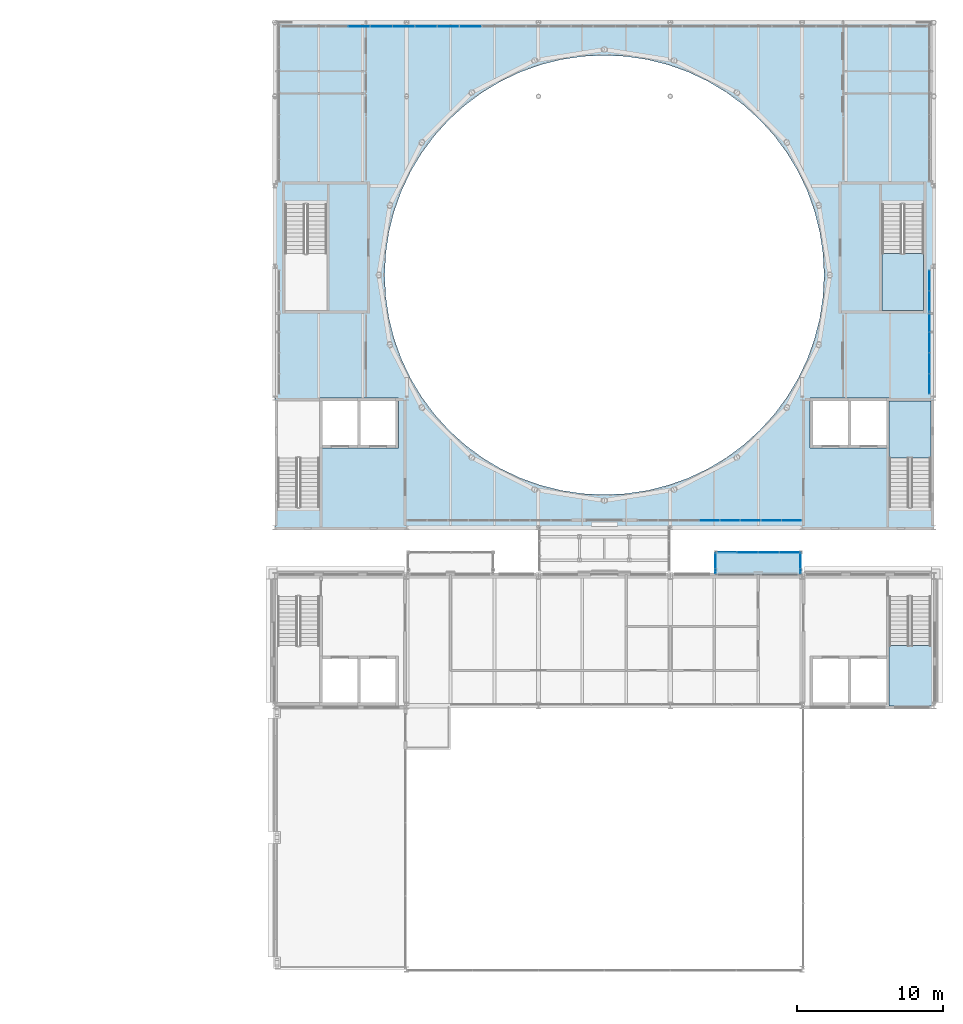
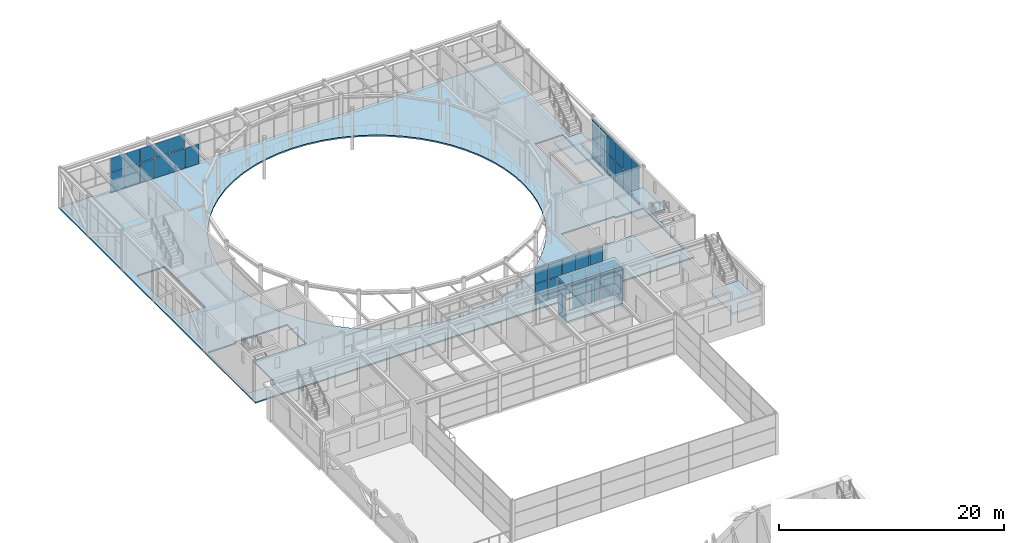
# One storey, part 47 of 70: 49 plates, 6 slabs, 9 elements without a shape of their own.
"""IFC4 building model written with IfcOpenShell, lengths in metres."""

from ifc_helpers import new_model, si_unit, direction, frame, origin, origin_2d, place, context, subcontext, project, spatial, polyline, rectangle, outline, extrude, material, layer, layer_set, type_object, element, aggregate, save


model = new_model("IFC4")

# Units and contexts
model_context = context("Model", 3, precision=1e-05, world=origin(), true_north=direction((0.0, 1.0)))
body_context = subcontext(model_context, "Body", "Model", "MODEL_VIEW")
ifc_project = project(units=[si_unit("LENGTHUNIT", "METRE"), si_unit("AREAUNIT", "SQUARE_METRE"), si_unit("VOLUMEUNIT", "CUBIC_METRE"), si_unit("PLANEANGLEUNIT", "RADIAN"), si_unit("MASSUNIT", "GRAM", prefix="KILO")], contexts=[model_context])

# Site, building, storey
site_placement = place(None, origin())
site = spatial("IfcSite", under=ifc_project, at=site_placement, CompositionType="ELEMENT")
building_placement = place(site_placement, origin())
building = spatial("IfcBuilding", under=site, at=building_placement, Name="Kallimachos Central Library", CompositionType="ELEMENT")
storey_placement = place(building_placement, frame((0.0, 0.0, 18.89990234375)))
storey = spatial("IfcBuildingStorey", under=building, at=storey_placement, Name="L04", CompositionType="ELEMENT", Elevation=18.89990234375)

# Slab
ifc_material_1 = material(Name="Composite slab C30/37 on steel deck", Category="concrete")
ifc_layer_1 = layer(ifc_material_1, 0.14990234375)
ifc_layer_set_1 = layer_set([ifc_layer_1], Name="Composite floor slab 150")
slab_type_1 = type_object("IfcSlabType", Name="Composite floor slab 150", PredefinedType="FLOOR", material=ifc_layer_set_1)
slab_1_placement = place(storey_placement, frame((0.0, 0.0, -0.14990234375)))
element("IfcSlab", 1, at=slab_1_placement, inside=storey, type_object=slab_type_1, Name="V1-SLB-L04-001", PredefinedType="FLOOR", context=body_context, shape_type="SweptSolid", body=[
    extrude(outline(polyline([(65.5, 121.800048828125), (110.5, 121.800048828125), (110.5, 87.0), (65.5, 87.0), (65.5, 121.800048828125)]), holes=[polyline([(65.699951171875, 95.800048828125), (65.699951171875, 88.553955078125), (68.550048828125, 88.553955078125), (68.550048828125, 92.60009765625), (73.949951171875, 92.60009765625), (73.949951171875, 96.0), (68.550048828125, 96.0), (68.550048828125, 95.800048828125), (65.699951171875, 95.800048828125)]), polyline([(107.449951171875, 95.800048828125), (107.449951171875, 96.0), (102.050048828125, 96.0), (102.050048828125, 92.60009765625), (107.449951171875, 92.60009765625), (107.449951171875, 88.553955078125), (110.300048828125, 88.553955078125), (110.300048828125, 95.800048828125), (107.449951171875, 95.800048828125)]), polyline([(102.7119140625, 101.4736328125), (102.927734375, 102.9296875), (103.0, 104.39990234375), (102.927734375, 105.870361328125), (102.7119140625, 107.326416015625), (102.35400390625, 108.75439453125), (101.858154296875, 110.140380859375), (101.228759765625, 111.470947265625), (100.471923828125, 112.733642578125), (99.59521484375, 113.916015625), (98.606689453125, 115.006591796875), (97.515869140625, 115.9951171875), (96.33349609375, 116.8720703125), (95.071044921875, 117.62890625), (93.740234375, 118.25830078125), (92.354248046875, 118.754150390625), (90.926513671875, 119.11181640625), (89.47021484375, 119.327880859375), (88.0, 119.39990234375), (86.52978515625, 119.327880859375), (85.073486328125, 119.11181640625), (83.645751953125, 118.754150390625), (82.259765625, 118.25830078125), (80.928955078125, 117.62890625), (79.66650390625, 116.8720703125), (78.484130859375, 115.9951171875), (77.393310546875, 115.006591796875), (76.40478515625, 113.916015625), (75.528076171875, 112.733642578125), (74.771240234375, 111.470947265625), (74.141845703125, 110.140380859375), (73.64599609375, 108.75439453125), (73.2880859375, 107.326416015625), (73.072265625, 105.870361328125), (73.0, 104.39990234375), (73.072265625, 102.9296875), (73.2880859375, 101.4736328125), (73.64599609375, 100.045654296875), (74.141845703125, 98.65966796875), (74.771240234375, 97.3291015625), (75.528076171875, 96.06640625), (76.40478515625, 94.884033203125), (77.393310546875, 93.79345703125), (78.484130859375, 92.8046875), (79.66650390625, 91.927978515625), (80.928955078125, 91.171142578125), (82.259765625, 90.541748046875), (83.645751953125, 90.0458984375), (85.073486328125, 89.688232421875), (86.52978515625, 89.47216796875), (88.0, 89.39990234375), (89.47021484375, 89.47216796875), (90.926513671875, 89.688232421875), (92.354248046875, 90.0458984375), (93.740234375, 90.541748046875), (95.071044921875, 91.171142578125), (96.33349609375, 91.927978515625), (97.515869140625, 92.8046875), (98.606689453125, 93.79345703125), (99.59521484375, 94.884033203125), (100.471923828125, 96.06640625), (101.228759765625, 97.3291015625), (101.858154296875, 98.65966796875), (102.35400390625, 100.045654296875), (102.7119140625, 101.4736328125)]), polyline([(66.199951171875, 101.97509765625), (69.050048828125, 101.97509765625), (69.050048828125, 109.220947265625), (66.199951171875, 109.220947265625), (66.199951171875, 101.97509765625)]), polyline([(106.949951171875, 101.97509765625), (109.800048828125, 101.97509765625), (109.800048828125, 109.220947265625), (106.949951171875, 109.220947265625), (106.949951171875, 101.97509765625)])]), origin(), (0.0, 0.0, 1.0), 0.14990234375),
])

# Curtain wall, plates
ifc_material_2 = material(Name="Anodised aluminium and laminated glass", Category="aluminium")
ifc_layer_2 = layer(ifc_material_2, 0.159912109375)
ifc_layer_set_2 = layer_set([ifc_layer_2], Name="Glass box curtain wall")
curtain_wall_type_1 = type_object("IfcCurtainWallType", Name="Glass box curtain wall", PredefinedType="NOTDEFINED", material=ifc_layer_set_2)
curtain_wall_1_placement = place(storey_placement, origin())
curtain_wall_1 = element("IfcCurtainWall", 2, at=curtain_wall_1_placement, inside=storey, type_object=curtain_wall_type_1, Name="Glass box curtain wall S L04", PredefinedType="NOTDEFINED")
ifc_material_3 = material(Name="Laminated glass", Category="glass")
ifc_layer_3 = layer(ifc_material_3, 0.028076171875)
ifc_layer_set_3 = layer_set([ifc_layer_3], Name="Laminated glass panel 28")
plate_type_1 = type_object("IfcPlateType", Name="Laminated glass panel 28", PredefinedType="CURTAIN_PANEL", material=ifc_layer_set_3)
plate_1_placement = place(storey_placement, frame((95.171875, 87.64990234375, 0.06005859375), z_axis=(0.0, 0.0, 1.0), x_axis=(1.0, 0.0, 0.0)))
plate_1 = element("IfcPlate", 3, at=plate_1_placement, type_object=plate_type_1, Name="CW29 panel 4.1", PredefinedType="CURTAIN_PANEL", context=body_context, shape_type="SweptSolid", body=[
    extrude(rectangle(XDim=1.34619140625, YDim=0.028076171875, at=origin_2d()), origin(), (0.0, 0.0, 1.0), 2.159912109375),
])
plate_2_placement = place(storey_placement, frame((95.171875, 87.64990234375, 2.280029296875), z_axis=(0.0, 0.0, 1.0), x_axis=(1.0, 0.0, 0.0)))
plate_2 = element("IfcPlate", 4, at=plate_2_placement, type_object=plate_type_1, Name="CW29 panel 4.2", PredefinedType="CURTAIN_PANEL", context=body_context, shape_type="SweptSolid", body=[
    extrude(rectangle(XDim=1.34619140625, YDim=0.028076171875, at=origin_2d()), origin(), (0.0, 0.0, 1.0), 1.7099609375),
])
plate_3_placement = place(storey_placement, frame((96.578125, 87.64990234375, 0.06005859375), z_axis=(0.0, 0.0, 1.0), x_axis=(1.0, 0.0, 0.0)))
plate_3 = element("IfcPlate", 5, at=plate_3_placement, type_object=plate_type_1, Name="CW29 panel 5.1", PredefinedType="CURTAIN_PANEL", context=body_context, shape_type="SweptSolid", body=[
    extrude(rectangle(XDim=1.34619140625, YDim=0.028076171875, at=origin_2d()), origin(), (0.0, 0.0, 1.0), 2.159912109375),
])
plate_4_placement = place(storey_placement, frame((96.578125, 87.64990234375, 2.280029296875), z_axis=(0.0, 0.0, 1.0), x_axis=(1.0, 0.0, 0.0)))
plate_4 = element("IfcPlate", 6, at=plate_4_placement, type_object=plate_type_1, Name="CW29 panel 5.2", PredefinedType="CURTAIN_PANEL", context=body_context, shape_type="SweptSolid", body=[
    extrude(rectangle(XDim=1.34619140625, YDim=0.028076171875, at=origin_2d()), origin(), (0.0, 0.0, 1.0), 1.7099609375),
])
plate_5_placement = place(storey_placement, frame((97.984375, 87.64990234375, 0.06005859375), z_axis=(0.0, 0.0, 1.0), x_axis=(1.0, 0.0, 0.0)))
plate_5 = element("IfcPlate", 7, at=plate_5_placement, type_object=plate_type_1, Name="CW29 panel 6.1", PredefinedType="CURTAIN_PANEL", context=body_context, shape_type="SweptSolid", body=[
    extrude(rectangle(XDim=1.34619140625, YDim=0.028076171875, at=origin_2d()), origin(), (0.0, 0.0, 1.0), 2.159912109375),
])
plate_6_placement = place(storey_placement, frame((97.984375, 87.64990234375, 2.280029296875), z_axis=(0.0, 0.0, 1.0), x_axis=(1.0, 0.0, 0.0)))
plate_6 = element("IfcPlate", 8, at=plate_6_placement, type_object=plate_type_1, Name="CW29 panel 6.2", PredefinedType="CURTAIN_PANEL", context=body_context, shape_type="SweptSolid", body=[
    extrude(rectangle(XDim=1.34619140625, YDim=0.028076171875, at=origin_2d()), origin(), (0.0, 0.0, 1.0), 1.7099609375),
])
plate_7_placement = place(storey_placement, frame((99.390625, 87.64990234375, 0.06005859375), z_axis=(0.0, 0.0, 1.0), x_axis=(1.0, 0.0, 0.0)))
plate_7 = element("IfcPlate", 9, at=plate_7_placement, type_object=plate_type_1, Name="CW29 panel 7.1", PredefinedType="CURTAIN_PANEL", context=body_context, shape_type="SweptSolid", body=[
    extrude(rectangle(XDim=1.34619140625, YDim=0.028076171875, at=origin_2d()), origin(), (0.0, 0.0, 1.0), 2.159912109375),
])
plate_8_placement = place(storey_placement, frame((99.390625, 87.64990234375, 2.280029296875), z_axis=(0.0, 0.0, 1.0), x_axis=(1.0, 0.0, 0.0)))
plate_8 = element("IfcPlate", 10, at=plate_8_placement, type_object=plate_type_1, Name="CW29 panel 7.2", PredefinedType="CURTAIN_PANEL", context=body_context, shape_type="SweptSolid", body=[
    extrude(rectangle(XDim=1.34619140625, YDim=0.028076171875, at=origin_2d()), origin(), (0.0, 0.0, 1.0), 1.7099609375),
])
plate_9_placement = place(storey_placement, frame((100.781982421875, 87.64990234375, 0.06005859375), z_axis=(0.0, 0.0, 1.0), x_axis=(1.0, 0.0, 0.0)))
plate_9 = element("IfcPlate", 11, at=plate_9_placement, type_object=plate_type_1, Name="CW29 panel 8.1", PredefinedType="CURTAIN_PANEL", context=body_context, shape_type="SweptSolid", body=[
    extrude(rectangle(XDim=1.316162109375, YDim=0.028076171875, at=origin_2d()), origin(), (0.0, 0.0, 1.0), 2.159912109375),
])
plate_10_placement = place(storey_placement, frame((100.781982421875, 87.64990234375, 2.280029296875), z_axis=(0.0, 0.0, 1.0), x_axis=(1.0, 0.0, 0.0)))
plate_10 = element("IfcPlate", 12, at=plate_10_placement, type_object=plate_type_1, Name="CW29 panel 8.2", PredefinedType="CURTAIN_PANEL", context=body_context, shape_type="SweptSolid", body=[
    extrude(rectangle(XDim=1.316162109375, YDim=0.028076171875, at=origin_2d()), origin(), (0.0, 0.0, 1.0), 1.7099609375),
])
aggregate(curtain_wall_1, [plate_1, plate_2, plate_3, plate_4, plate_5, plate_6, plate_7, plate_8, plate_9, plate_10])

curtain_wall_2_placement = place(storey_placement, origin())
curtain_wall_2 = element("IfcCurtainWall", 13, at=curtain_wall_2_placement, inside=storey, type_object=curtain_wall_type_1, Name="Glass box curtain wall E L04", PredefinedType="NOTDEFINED")
plate_11_placement = place(storey_placement, frame((110.199951171875, 96.973388671875, 0.06005859375), z_axis=(0.0, 0.0, 1.0), x_axis=(0.0, 1.0, 0.0)))
plate_11 = element("IfcPlate", 14, at=plate_11_placement, type_object=plate_type_1, Name="CW32 panel 1.1", PredefinedType="CURTAIN_PANEL", context=body_context, shape_type="SweptSolid", body=[
    extrude(rectangle(XDim=1.32666015625, YDim=0.028076171875, at=origin_2d()), origin(), (0.0, 0.0, 1.0), 2.159912109375),
])
plate_12_placement = place(storey_placement, frame((110.199951171875, 96.973388671875, 2.2802734375), z_axis=(0.0, 0.0, 1.0), x_axis=(0.0, 1.0, 0.0)))
plate_12 = element("IfcPlate", 15, at=plate_12_placement, type_object=plate_type_1, Name="CW32 panel 1.2", PredefinedType="CURTAIN_PANEL", context=body_context, shape_type="SweptSolid", body=[
    extrude(rectangle(XDim=1.32666015625, YDim=0.028076171875, at=origin_2d()), origin(), (0.0, 0.0, 1.0), 2.010009765625),
])
plate_13_placement = place(storey_placement, frame((110.199951171875, 98.375, 0.06005859375), z_axis=(0.0, 0.0, 1.0), x_axis=(0.0, 1.0, 0.0)))
plate_13 = element("IfcPlate", 16, at=plate_13_placement, type_object=plate_type_1, Name="CW32 panel 2.1", PredefinedType="CURTAIN_PANEL", context=body_context, shape_type="SweptSolid", body=[
    extrude(rectangle(XDim=1.356689453125, YDim=0.028076171875, at=origin_2d()), origin(), (0.0, 0.0, 1.0), 2.159912109375),
])
plate_14_placement = place(storey_placement, frame((110.199951171875, 98.375, 2.2802734375), z_axis=(0.0, 0.0, 1.0), x_axis=(0.0, 1.0, 0.0)))
plate_14 = element("IfcPlate", 17, at=plate_14_placement, type_object=plate_type_1, Name="CW32 panel 2.2", PredefinedType="CURTAIN_PANEL", context=body_context, shape_type="SweptSolid", body=[
    extrude(rectangle(XDim=1.356689453125, YDim=0.028076171875, at=origin_2d()), origin(), (0.0, 0.0, 1.0), 2.010009765625),
])
plate_15_placement = place(storey_placement, frame((110.199951171875, 99.791748046875, 0.06005859375), z_axis=(0.0, 0.0, 1.0), x_axis=(0.0, 1.0, 0.0)))
plate_15 = element("IfcPlate", 18, at=plate_15_placement, type_object=plate_type_1, Name="CW32 panel 3.1", PredefinedType="CURTAIN_PANEL", context=body_context, shape_type="SweptSolid", body=[
    extrude(rectangle(XDim=1.356689453125, YDim=0.028076171875, at=origin_2d()), origin(), (0.0, 0.0, 1.0), 2.159912109375),
])
plate_16_placement = place(storey_placement, frame((110.199951171875, 99.791748046875, 2.2802734375), z_axis=(0.0, 0.0, 1.0), x_axis=(0.0, 1.0, 0.0)))
plate_16 = element("IfcPlate", 19, at=plate_16_placement, type_object=plate_type_1, Name="CW32 panel 3.2", PredefinedType="CURTAIN_PANEL", context=body_context, shape_type="SweptSolid", body=[
    extrude(rectangle(XDim=1.356689453125, YDim=0.028076171875, at=origin_2d()), origin(), (0.0, 0.0, 1.0), 2.010009765625),
])
plate_17_placement = place(storey_placement, frame((110.199951171875, 101.208251953125, 0.06005859375), z_axis=(0.0, 0.0, 1.0), x_axis=(0.0, 1.0, 0.0)))
plate_17 = element("IfcPlate", 20, at=plate_17_placement, type_object=plate_type_1, Name="CW32 panel 4.1", PredefinedType="CURTAIN_PANEL", context=body_context, shape_type="SweptSolid", body=[
    extrude(rectangle(XDim=1.356689453125, YDim=0.028076171875, at=origin_2d()), origin(), (0.0, 0.0, 1.0), 2.159912109375),
])
plate_18_placement = place(storey_placement, frame((110.199951171875, 101.208251953125, 2.2802734375), z_axis=(0.0, 0.0, 1.0), x_axis=(0.0, 1.0, 0.0)))
plate_18 = element("IfcPlate", 21, at=plate_18_placement, type_object=plate_type_1, Name="CW32 panel 4.2", PredefinedType="CURTAIN_PANEL", context=body_context, shape_type="SweptSolid", body=[
    extrude(rectangle(XDim=1.356689453125, YDim=0.028076171875, at=origin_2d()), origin(), (0.0, 0.0, 1.0), 2.010009765625),
])
plate_19_placement = place(storey_placement, frame((110.199951171875, 102.625, 0.06005859375), z_axis=(0.0, 0.0, 1.0), x_axis=(0.0, 1.0, 0.0)))
plate_19 = element("IfcPlate", 22, at=plate_19_placement, type_object=plate_type_1, Name="CW32 panel 5.1", PredefinedType="CURTAIN_PANEL", context=body_context, shape_type="SweptSolid", body=[
    extrude(rectangle(XDim=1.356689453125, YDim=0.028076171875, at=origin_2d()), origin(), (0.0, 0.0, 1.0), 2.159912109375),
])
plate_20_placement = place(storey_placement, frame((110.199951171875, 102.625, 2.2802734375), z_axis=(0.0, 0.0, 1.0), x_axis=(0.0, 1.0, 0.0)))
plate_20 = element("IfcPlate", 23, at=plate_20_placement, type_object=plate_type_1, Name="CW32 panel 5.2", PredefinedType="CURTAIN_PANEL", context=body_context, shape_type="SweptSolid", body=[
    extrude(rectangle(XDim=1.356689453125, YDim=0.028076171875, at=origin_2d()), origin(), (0.0, 0.0, 1.0), 2.010009765625),
])
plate_21_placement = place(storey_placement, frame((110.199951171875, 104.026611328125, 0.06005859375), z_axis=(0.0, 0.0, 1.0), x_axis=(0.0, 1.0, 0.0)))
plate_21 = element("IfcPlate", 24, at=plate_21_placement, type_object=plate_type_1, Name="CW32 panel 6.1", PredefinedType="CURTAIN_PANEL", context=body_context, shape_type="SweptSolid", body=[
    extrude(rectangle(XDim=1.32666015625, YDim=0.028076171875, at=origin_2d()), origin(), (0.0, 0.0, 1.0), 2.159912109375),
])
plate_22_placement = place(storey_placement, frame((110.199951171875, 104.026611328125, 2.2802734375), z_axis=(0.0, 0.0, 1.0), x_axis=(0.0, 1.0, 0.0)))
plate_22 = element("IfcPlate", 25, at=plate_22_placement, type_object=plate_type_1, Name="CW32 panel 6.2", PredefinedType="CURTAIN_PANEL", context=body_context, shape_type="SweptSolid", body=[
    extrude(rectangle(XDim=1.32666015625, YDim=0.028076171875, at=origin_2d()), origin(), (0.0, 0.0, 1.0), 2.010009765625),
])
aggregate(curtain_wall_2, [plate_11, plate_12, plate_13, plate_14, plate_15, plate_16, plate_17, plate_18, plate_19, plate_20, plate_21, plate_22])

curtain_wall_3_placement = place(storey_placement, origin())
curtain_wall_3 = element("IfcCurtainWall", 26, at=curtain_wall_3_placement, inside=storey, type_object=curtain_wall_type_1, Name="Glass box curtain wall N L04", PredefinedType="NOTDEFINED")
plate_23_placement = place(storey_placement, frame((71.249755859375, 121.3798828125, 0.06005859375), z_axis=(0.0, 0.0, 1.0), x_axis=(1.0, 0.0, 0.0)))
plate_23 = element("IfcPlate", 27, at=plate_23_placement, type_object=plate_type_1, Name="CW34 panel 4.1", PredefinedType="CURTAIN_PANEL", context=body_context, shape_type="SweptSolid", body=[
    extrude(rectangle(XDim=1.462646484375, YDim=0.028076171875, at=origin_2d()), origin(), (0.0, 0.0, 1.0), 2.159912109375),
])
plate_24_placement = place(storey_placement, frame((71.249755859375, 121.3798828125, 2.2802734375), z_axis=(0.0, 0.0, 1.0), x_axis=(1.0, 0.0, 0.0)))
plate_24 = element("IfcPlate", 28, at=plate_24_placement, type_object=plate_type_1, Name="CW34 panel 4.2", PredefinedType="CURTAIN_PANEL", context=body_context, shape_type="SweptSolid", body=[
    extrude(rectangle(XDim=1.462646484375, YDim=0.028076171875, at=origin_2d()), origin(), (0.0, 0.0, 1.0), 1.510009765625),
])
plate_25_placement = place(storey_placement, frame((72.7724609375, 121.3798828125, 0.06005859375), z_axis=(0.0, 0.0, 1.0), x_axis=(1.0, 0.0, 0.0)))
plate_25 = element("IfcPlate", 29, at=plate_25_placement, type_object=plate_type_1, Name="CW34 panel 5.1", PredefinedType="CURTAIN_PANEL", context=body_context, shape_type="SweptSolid", body=[
    extrude(rectangle(XDim=1.462646484375, YDim=0.028076171875, at=origin_2d()), origin(), (0.0, 0.0, 1.0), 2.159912109375),
])
plate_26_placement = place(storey_placement, frame((72.7724609375, 121.3798828125, 2.2802734375), z_axis=(0.0, 0.0, 1.0), x_axis=(1.0, 0.0, 0.0)))
plate_26 = element("IfcPlate", 30, at=plate_26_placement, type_object=plate_type_1, Name="CW34 panel 5.2", PredefinedType="CURTAIN_PANEL", context=body_context, shape_type="SweptSolid", body=[
    extrude(rectangle(XDim=1.462646484375, YDim=0.028076171875, at=origin_2d()), origin(), (0.0, 0.0, 1.0), 1.510009765625),
])
plate_27_placement = place(storey_placement, frame((74.295166015625, 121.3798828125, 0.06005859375), z_axis=(0.0, 0.0, 1.0), x_axis=(1.0, 0.0, 0.0)))
plate_27 = element("IfcPlate", 31, at=plate_27_placement, type_object=plate_type_1, Name="CW34 panel 6.1", PredefinedType="CURTAIN_PANEL", context=body_context, shape_type="SweptSolid", body=[
    extrude(rectangle(XDim=1.462646484375, YDim=0.028076171875, at=origin_2d()), origin(), (0.0, 0.0, 1.0), 2.159912109375),
])
plate_28_placement = place(storey_placement, frame((74.295166015625, 121.3798828125, 2.2802734375), z_axis=(0.0, 0.0, 1.0), x_axis=(1.0, 0.0, 0.0)))
plate_28 = element("IfcPlate", 32, at=plate_28_placement, type_object=plate_type_1, Name="CW34 panel 6.2", PredefinedType="CURTAIN_PANEL", context=body_context, shape_type="SweptSolid", body=[
    extrude(rectangle(XDim=1.462646484375, YDim=0.028076171875, at=origin_2d()), origin(), (0.0, 0.0, 1.0), 1.510009765625),
])
plate_29_placement = place(storey_placement, frame((75.81787109375, 121.3798828125, 0.06005859375), z_axis=(0.0, 0.0, 1.0), x_axis=(1.0, 0.0, 0.0)))
plate_29 = element("IfcPlate", 33, at=plate_29_placement, type_object=plate_type_1, Name="CW34 panel 7.1", PredefinedType="CURTAIN_PANEL", context=body_context, shape_type="SweptSolid", body=[
    extrude(rectangle(XDim=1.462646484375, YDim=0.028076171875, at=origin_2d()), origin(), (0.0, 0.0, 1.0), 2.159912109375),
])
plate_30_placement = place(storey_placement, frame((75.81787109375, 121.3798828125, 2.2802734375), z_axis=(0.0, 0.0, 1.0), x_axis=(1.0, 0.0, 0.0)))
plate_30 = element("IfcPlate", 34, at=plate_30_placement, type_object=plate_type_1, Name="CW34 panel 7.2", PredefinedType="CURTAIN_PANEL", context=body_context, shape_type="SweptSolid", body=[
    extrude(rectangle(XDim=1.462646484375, YDim=0.028076171875, at=origin_2d()), origin(), (0.0, 0.0, 1.0), 1.510009765625),
])
plate_31_placement = place(storey_placement, frame((77.340576171875, 121.3798828125, 0.06005859375), z_axis=(0.0, 0.0, 1.0), x_axis=(1.0, 0.0, 0.0)))
plate_31 = element("IfcPlate", 35, at=plate_31_placement, type_object=plate_type_1, Name="CW34 panel 8.1", PredefinedType="CURTAIN_PANEL", context=body_context, shape_type="SweptSolid", body=[
    extrude(rectangle(XDim=1.462646484375, YDim=0.028076171875, at=origin_2d()), origin(), (0.0, 0.0, 1.0), 2.159912109375),
])
plate_32_placement = place(storey_placement, frame((77.340576171875, 121.3798828125, 2.2802734375), z_axis=(0.0, 0.0, 1.0), x_axis=(1.0, 0.0, 0.0)))
plate_32 = element("IfcPlate", 36, at=plate_32_placement, type_object=plate_type_1, Name="CW34 panel 8.2", PredefinedType="CURTAIN_PANEL", context=body_context, shape_type="SweptSolid", body=[
    extrude(rectangle(XDim=1.462646484375, YDim=0.028076171875, at=origin_2d()), origin(), (0.0, 0.0, 1.0), 1.510009765625),
])
plate_33_placement = place(storey_placement, frame((78.863525390625, 121.3798828125, 0.06005859375), z_axis=(0.0, 0.0, 1.0), x_axis=(1.0, 0.0, 0.0)))
plate_33 = element("IfcPlate", 37, at=plate_33_placement, type_object=plate_type_1, Name="CW34 panel 9.1", PredefinedType="CURTAIN_PANEL", context=body_context, shape_type="SweptSolid", body=[
    extrude(rectangle(XDim=1.462646484375, YDim=0.028076171875, at=origin_2d()), origin(), (0.0, 0.0, 1.0), 2.159912109375),
])
aggregate(curtain_wall_3, [plate_23, plate_24, plate_25, plate_26, plate_27, plate_28, plate_29, plate_30, plate_31, plate_32, plate_33])

# Stair, slab
ifc_material_4 = material(Name="Concrete C30/37", Category="concrete")
stair_type_1 = type_object("IfcStairType", Name="Escape stair", PredefinedType="HALF_TURN_STAIR", material=ifc_material_4)
stair_1_placement = place(storey_placement, origin())
stair_1 = element("IfcStair", 38, at=stair_1_placement, inside=storey, type_object=stair_type_1, Name="L04 stair ST10", PredefinedType="HALF_TURN_STAIR")
ifc_material_5 = material(Name="Concrete C30/37", Category="concrete")
ifc_layer_4 = layer(ifc_material_5, 0.199951171875)
ifc_layer_set_4 = layer_set([ifc_layer_4], Name="Stair landing")
slab_type_2 = type_object("IfcSlabType", Name="Stair landing", PredefinedType="LANDING", material=ifc_layer_set_4)
slab_2_placement = place(storey_placement, frame((0.0, 0.0, 2.050048828125)))
slab_2 = element("IfcSlab", 39, at=slab_2_placement, type_object=slab_type_2, Name="ST10 landing 1", PredefinedType="LANDING", context=body_context, shape_type="SweptSolid", body=[
    extrude(outline(polyline([(107.449951171875, 74.98388671875), (110.45361328125, 74.98388671875), (110.45361328125, 79.090087890625), (107.449951171875, 79.090087890625), (107.449951171875, 74.98388671875)])), origin(), (0.0, 0.0, 1.0), 0.199951171875),
])
aggregate(stair_1, [slab_2])

ifc_material_6 = material(Name="Steel S355J2", Category="steel")
stair_type_2 = type_object("IfcStairType", Name="Steel half-turn stair 1350", PredefinedType="HALF_TURN_STAIR", material=ifc_material_6)
stair_2_placement = place(storey_placement, origin())
stair_2 = element("IfcStair", 40, at=stair_2_placement, inside=storey, type_object=stair_type_2, Name="L04 stair ST2", PredefinedType="HALF_TURN_STAIR")
ifc_material_7 = material(Name="Concrete C30/37", Category="concrete")
ifc_layer_5 = layer(ifc_material_7, 0.199951171875)
ifc_layer_set_5 = layer_set([ifc_layer_5], Name="Stair landing slab 200")
slab_type_3 = type_object("IfcSlabType", Name="Stair landing slab 200", PredefinedType="LANDING", material=ifc_layer_set_5)
slab_3_placement = place(storey_placement, frame((0.0, 0.0, 2.050048828125)))
slab_3 = element("IfcSlab", 41, at=slab_3_placement, type_object=slab_type_3, Name="ST2 landing 1", PredefinedType="LANDING", context=body_context, shape_type="SweptSolid", body=[
    extrude(outline(polyline([(110.300048828125, 91.909912109375), (110.300048828125, 95.800048828125), (107.449951171875, 95.800048828125), (107.449951171875, 91.909912109375), (110.300048828125, 91.909912109375)])), origin(), (0.0, 0.0, 1.0), 0.199951171875),
])
aggregate(stair_2, [slab_3])

stair_3_placement = place(storey_placement, origin())
stair_3 = element("IfcStair", 42, at=stair_3_placement, inside=storey, type_object=stair_type_2, Name="L04 stair ST4", PredefinedType="HALF_TURN_STAIR")
slab_4_placement = place(storey_placement, frame((0.0, 0.0, 2.050048828125)))
slab_4 = element("IfcSlab", 43, at=slab_4_placement, type_object=slab_type_3, Name="ST4 landing 1", PredefinedType="LANDING", context=body_context, shape_type="SweptSolid", body=[
    extrude(outline(polyline([(106.949951171875, 105.864990234375), (106.949951171875, 101.97509765625), (109.800048828125, 101.97509765625), (109.800048828125, 105.864990234375), (106.949951171875, 105.864990234375)])), origin(), (0.0, 0.0, 1.0), 0.199951171875),
])
aggregate(stair_3, [slab_4])

# Slab
ifc_material_8 = material(Name="Composite slab C30/37 on steel deck", Category="concrete")
ifc_layer_6 = layer(ifc_material_8, 0.199951171875)
ifc_layer_set_6 = layer_set([ifc_layer_6], Name="Tribune bay floor slab 200")
slab_type_4 = type_object("IfcSlabType", Name="Tribune bay floor slab 200", PredefinedType="FLOOR", material=ifc_layer_set_6)
slab_5_placement = place(storey_placement, frame((0.0, 0.0, -0.199951171875)))
element("IfcSlab", 44, at=slab_5_placement, inside=storey, type_object=slab_type_4, Name="Tribune bay N2 floor L04", PredefinedType="FLOOR", context=body_context, shape_type="SweptSolid", body=[
    extrude(outline(polyline([(95.60009765625, 83.966064453125), (101.39990234375, 83.966064453125), (101.39990234375, 85.466064453125), (95.60009765625, 85.466064453125), (95.60009765625, 83.966064453125)])), origin(), (0.0, 0.0, 1.0), 0.199951171875),
])

# Curtain wall, plates
ifc_material_9 = material(Name="Aluminium and laminated glass", Category="aluminium")
curtain_wall_type_2 = type_object("IfcCurtainWallType", Name="Tribune bay glazed screen", PredefinedType="NOTDEFINED", material=ifc_material_9)
curtain_wall_4_placement = place(storey_placement, origin())
curtain_wall_4 = element("IfcCurtainWall", 45, at=curtain_wall_4_placement, inside=storey, type_object=curtain_wall_type_2, Name="Tribune bay N2 L04 front", PredefinedType="NOTDEFINED")
ifc_material_10 = material(Name="Laminated glass", Category="glass")
ifc_layer_7 = layer(ifc_material_10, 0.028076171875)
ifc_layer_set_7 = layer_set([ifc_layer_7], Name="Tribune bay glass panel")
plate_type_2 = type_object("IfcPlateType", Name="Tribune bay glass panel", PredefinedType="CURTAIN_PANEL", material=ifc_layer_set_7)
plate_34_placement = place(storey_placement, frame((96.340087890625, 85.466064453125, 2.5966796875), z_axis=(0.0, 0.0, 1.0), x_axis=(1.0, 0.0, 0.0)))
plate_34 = element("IfcPlate", 46, at=plate_34_placement, type_object=plate_type_2, Name="CW panel 1.3", PredefinedType="CURTAIN_PANEL", context=body_context, shape_type="SweptSolid", body=[
    extrude(rectangle(XDim=1.360107421875, YDim=0.028076171875, at=origin_2d()), origin(), (0.0, 0.0, 1.0), 1.193359375),
])
plate_35_placement = place(storey_placement, frame((97.77490234375, 85.466064453125, 0.06005859375), z_axis=(0.0, 0.0, 1.0), x_axis=(1.0, 0.0, 0.0)))
plate_35 = element("IfcPlate", 47, at=plate_35_placement, type_object=plate_type_2, Name="CW panel 2.1", PredefinedType="CURTAIN_PANEL", context=body_context, shape_type="SweptSolid", body=[
    extrude(rectangle(XDim=1.389892578125, YDim=0.028076171875, at=origin_2d()), origin(), (0.0, 0.0, 1.0), 1.193359375),
])
plate_36_placement = place(storey_placement, frame((97.77490234375, 85.466064453125, 1.3134765625), z_axis=(0.0, 0.0, 1.0), x_axis=(1.0, 0.0, 0.0)))
plate_36 = element("IfcPlate", 48, at=plate_36_placement, type_object=plate_type_2, Name="CW panel 2.2", PredefinedType="CURTAIN_PANEL", context=body_context, shape_type="SweptSolid", body=[
    extrude(rectangle(XDim=1.389892578125, YDim=0.028076171875, at=origin_2d()), origin(), (0.0, 0.0, 1.0), 1.223388671875),
])
plate_37_placement = place(storey_placement, frame((97.77490234375, 85.466064453125, 2.5966796875), z_axis=(0.0, 0.0, 1.0), x_axis=(1.0, 0.0, 0.0)))
plate_37 = element("IfcPlate", 49, at=plate_37_placement, type_object=plate_type_2, Name="CW panel 2.3", PredefinedType="CURTAIN_PANEL", context=body_context, shape_type="SweptSolid", body=[
    extrude(rectangle(XDim=1.389892578125, YDim=0.028076171875, at=origin_2d()), origin(), (0.0, 0.0, 1.0), 1.193359375),
])
plate_38_placement = place(storey_placement, frame((99.22509765625, 85.466064453125, 0.06005859375), z_axis=(0.0, 0.0, 1.0), x_axis=(1.0, 0.0, 0.0)))
plate_38 = element("IfcPlate", 50, at=plate_38_placement, type_object=plate_type_2, Name="CW panel 3.1", PredefinedType="CURTAIN_PANEL", context=body_context, shape_type="SweptSolid", body=[
    extrude(rectangle(XDim=1.389892578125, YDim=0.028076171875, at=origin_2d()), origin(), (0.0, 0.0, 1.0), 1.193359375),
])
plate_39_placement = place(storey_placement, frame((99.22509765625, 85.466064453125, 1.3134765625), z_axis=(0.0, 0.0, 1.0), x_axis=(1.0, 0.0, 0.0)))
plate_39 = element("IfcPlate", 51, at=plate_39_placement, type_object=plate_type_2, Name="CW panel 3.2", PredefinedType="CURTAIN_PANEL", context=body_context, shape_type="SweptSolid", body=[
    extrude(rectangle(XDim=1.389892578125, YDim=0.028076171875, at=origin_2d()), origin(), (0.0, 0.0, 1.0), 1.223388671875),
])
plate_40_placement = place(storey_placement, frame((99.22509765625, 85.466064453125, 2.5966796875), z_axis=(0.0, 0.0, 1.0), x_axis=(1.0, 0.0, 0.0)))
plate_40 = element("IfcPlate", 52, at=plate_40_placement, type_object=plate_type_2, Name="CW panel 3.3", PredefinedType="CURTAIN_PANEL", context=body_context, shape_type="SweptSolid", body=[
    extrude(rectangle(XDim=1.389892578125, YDim=0.028076171875, at=origin_2d()), origin(), (0.0, 0.0, 1.0), 1.193359375),
])
plate_41_placement = place(storey_placement, frame((100.659912109375, 85.466064453125, 0.06005859375), z_axis=(0.0, 0.0, 1.0), x_axis=(1.0, 0.0, 0.0)))
plate_41 = element("IfcPlate", 53, at=plate_41_placement, type_object=plate_type_2, Name="CW panel 4.1", PredefinedType="CURTAIN_PANEL", context=body_context, shape_type="SweptSolid", body=[
    extrude(rectangle(XDim=1.360107421875, YDim=0.028076171875, at=origin_2d()), origin(), (0.0, 0.0, 1.0), 1.193359375),
])
plate_42_placement = place(storey_placement, frame((100.659912109375, 85.466064453125, 1.3134765625), z_axis=(0.0, 0.0, 1.0), x_axis=(1.0, 0.0, 0.0)))
plate_42 = element("IfcPlate", 54, at=plate_42_placement, type_object=plate_type_2, Name="CW panel 4.2", PredefinedType="CURTAIN_PANEL", context=body_context, shape_type="SweptSolid", body=[
    extrude(rectangle(XDim=1.360107421875, YDim=0.028076171875, at=origin_2d()), origin(), (0.0, 0.0, 1.0), 1.223388671875),
])
plate_43_placement = place(storey_placement, frame((100.659912109375, 85.466064453125, 2.5966796875), z_axis=(0.0, 0.0, 1.0), x_axis=(1.0, 0.0, 0.0)))
plate_43 = element("IfcPlate", 55, at=plate_43_placement, type_object=plate_type_2, Name="CW panel 4.3", PredefinedType="CURTAIN_PANEL", context=body_context, shape_type="SweptSolid", body=[
    extrude(rectangle(XDim=1.360107421875, YDim=0.028076171875, at=origin_2d()), origin(), (0.0, 0.0, 1.0), 1.193359375),
])
aggregate(curtain_wall_4, [plate_34, plate_35, plate_36, plate_37, plate_38, plate_39, plate_40, plate_41, plate_42, plate_43])

curtain_wall_5_placement = place(storey_placement, origin())
curtain_wall_5 = element("IfcCurtainWall", 56, at=curtain_wall_5_placement, inside=storey, type_object=curtain_wall_type_2, Name="Tribune bay N2 L04 return 1", PredefinedType="NOTDEFINED")
plate_44_placement = place(storey_placement, frame((95.60009765625, 84.716064453125, 0.06005859375), z_axis=(0.0, 0.0, 1.0), x_axis=(0.0, 1.0, 0.0)))
plate_44 = element("IfcPlate", 57, at=plate_44_placement, type_object=plate_type_2, Name="CW panel 1.1", PredefinedType="CURTAIN_PANEL", context=body_context, shape_type="SweptSolid", body=[
    extrude(rectangle(XDim=1.3798828125, YDim=0.028076171875, at=origin_2d()), origin(), (0.0, 0.0, 1.0), 1.193359375),
])
plate_45_placement = place(storey_placement, frame((95.60009765625, 84.716064453125, 1.3134765625), z_axis=(0.0, 0.0, 1.0), x_axis=(0.0, 1.0, 0.0)))
plate_45 = element("IfcPlate", 58, at=plate_45_placement, type_object=plate_type_2, Name="CW panel 1.2", PredefinedType="CURTAIN_PANEL", context=body_context, shape_type="SweptSolid", body=[
    extrude(rectangle(XDim=1.3798828125, YDim=0.028076171875, at=origin_2d()), origin(), (0.0, 0.0, 1.0), 1.223388671875),
])
plate_46_placement = place(storey_placement, frame((95.60009765625, 84.716064453125, 2.5966796875), z_axis=(0.0, 0.0, 1.0), x_axis=(0.0, 1.0, 0.0)))
plate_46 = element("IfcPlate", 59, at=plate_46_placement, type_object=plate_type_2, Name="CW panel 1.3", PredefinedType="CURTAIN_PANEL", context=body_context, shape_type="SweptSolid", body=[
    extrude(rectangle(XDim=1.3798828125, YDim=0.028076171875, at=origin_2d()), origin(), (0.0, 0.0, 1.0), 1.193359375),
])
aggregate(curtain_wall_5, [plate_44, plate_45, plate_46])

curtain_wall_6_placement = place(storey_placement, origin())
curtain_wall_6 = element("IfcCurtainWall", 60, at=curtain_wall_6_placement, inside=storey, type_object=curtain_wall_type_2, Name="Tribune bay N2 L04 return 2", PredefinedType="NOTDEFINED")
plate_47_placement = place(storey_placement, frame((101.39990234375, 84.716064453125, 0.06005859375), z_axis=(0.0, 0.0, 1.0), x_axis=(0.0, 1.0, 0.0)))
plate_47 = element("IfcPlate", 61, at=plate_47_placement, type_object=plate_type_2, Name="CW panel 1.1", PredefinedType="CURTAIN_PANEL", context=body_context, shape_type="SweptSolid", body=[
    extrude(rectangle(XDim=1.3798828125, YDim=0.028076171875, at=origin_2d()), origin(), (0.0, 0.0, 1.0), 1.193359375),
])
plate_48_placement = place(storey_placement, frame((101.39990234375, 84.716064453125, 1.3134765625), z_axis=(0.0, 0.0, 1.0), x_axis=(0.0, 1.0, 0.0)))
plate_48 = element("IfcPlate", 62, at=plate_48_placement, type_object=plate_type_2, Name="CW panel 1.2", PredefinedType="CURTAIN_PANEL", context=body_context, shape_type="SweptSolid", body=[
    extrude(rectangle(XDim=1.3798828125, YDim=0.028076171875, at=origin_2d()), origin(), (0.0, 0.0, 1.0), 1.223388671875),
])
plate_49_placement = place(storey_placement, frame((101.39990234375, 84.716064453125, 2.5966796875), z_axis=(0.0, 0.0, 1.0), x_axis=(0.0, 1.0, 0.0)))
plate_49 = element("IfcPlate", 63, at=plate_49_placement, type_object=plate_type_2, Name="CW panel 1.3", PredefinedType="CURTAIN_PANEL", context=body_context, shape_type="SweptSolid", body=[
    extrude(rectangle(XDim=1.3798828125, YDim=0.028076171875, at=origin_2d()), origin(), (0.0, 0.0, 1.0), 1.193359375),
])
aggregate(curtain_wall_6, [plate_47, plate_48, plate_49])

# Slab
ifc_material_11 = material(Name="Composite slab C30/37 on steel deck", Category="concrete")
ifc_layer_8 = layer(ifc_material_11, 0.199951171875)
ifc_layer_set_8 = layer_set([ifc_layer_8], Name="Tribune bay roof slab 200")
slab_type_5 = type_object("IfcSlabType", Name="Tribune bay roof slab 200", PredefinedType="ROOF", material=ifc_layer_set_8)
slab_6_placement = place(storey_placement, frame((0.0, 0.0, 3.85009765625)))
element("IfcSlab", 64, at=slab_6_placement, inside=storey, type_object=slab_type_5, Name="Tribune bay N2 roof", PredefinedType="ROOF", context=body_context, shape_type="SweptSolid", body=[
    extrude(outline(polyline([(95.550048828125, 83.966064453125), (101.449951171875, 83.966064453125), (101.449951171875, 85.51611328125), (95.550048828125, 85.51611328125), (95.550048828125, 83.966064453125)])), origin(), (0.0, 0.0, 1.0), 0.199951171875),
])

save(model, "model.ifc")
